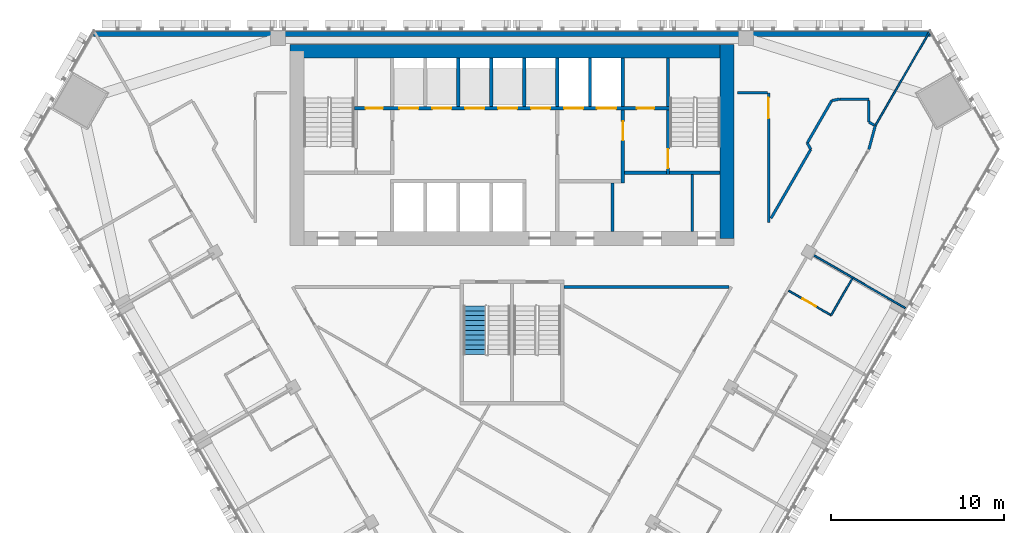
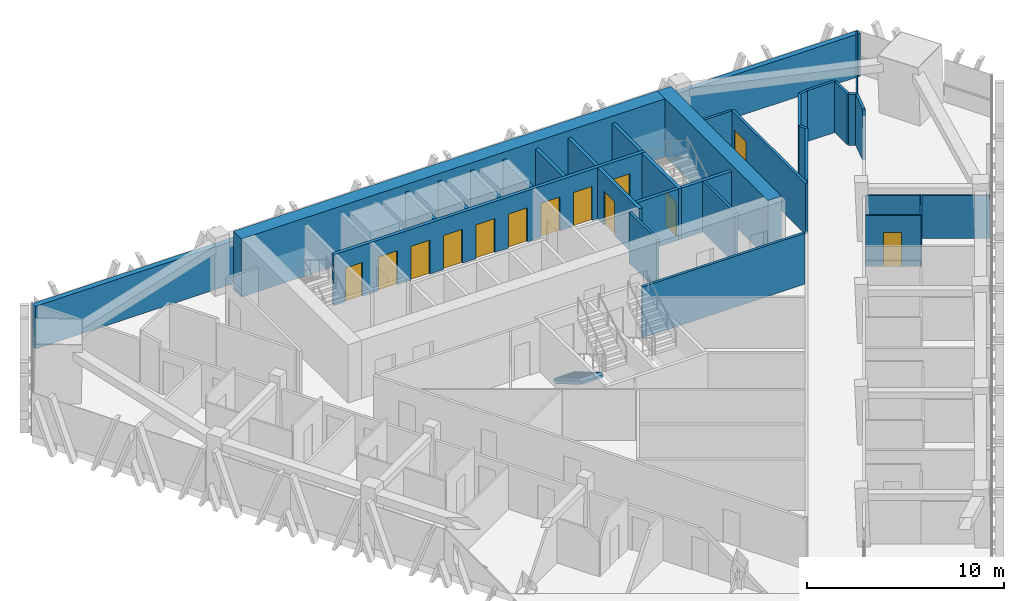
# One storey, part 12 of 16: 32 walls, 13 doors, 1 stair flight, 13 openings, 1 element without a shape of its own.
"""IFC4 building model written with IfcOpenShell, lengths in metres."""

from ifc_helpers import new_model, si_unit, direction, frame, frame_2d, origin, place, context, subcontext, project, spatial, polyline, rectangle, outline, extrude, material, layer, layer_set, type_object, element, fill, aggregate, save


model = new_model("IFC4")

# Units and contexts
model_context = context("Model", 3, precision=1e-05, world=origin(), true_north=direction((0.0, 1.0)))
body_context = subcontext(model_context, "Body", "Model", "MODEL_VIEW")
ifc_project = project(units=[si_unit("LENGTHUNIT", "METRE"), si_unit("AREAUNIT", "SQUARE_METRE"), si_unit("VOLUMEUNIT", "CUBIC_METRE"), si_unit("PLANEANGLEUNIT", "RADIAN"), si_unit("MASSUNIT", "GRAM", prefix="KILO")], contexts=[model_context])

# Site, building, storey
site_placement = place(None, origin())
site = spatial("IfcSite", under=ifc_project, at=site_placement, CompositionType="ELEMENT")
building_placement = place(site_placement, origin())
building = spatial("IfcBuilding", under=site, at=building_placement, Name="Altiplano Prism Tower", CompositionType="ELEMENT")
storey_placement = place(building_placement, frame((0.0, 0.0, 124.199951171875)))
storey = spatial("IfcBuildingStorey", under=building, at=storey_placement, Name="L31", CompositionType="ELEMENT", Elevation=124.199951171875)

# Walls
ifc_material_1 = material(Name="Concrete C60/75", Category="concrete")
ifc_layer_1 = layer(ifc_material_1, 0.800048828125)
ifc_layer_set_1 = layer_set([ifc_layer_1], Name="Concrete C60/75")
wall_type_1 = type_object("IfcWallType", Name="Core wall 800", PredefinedType="SHEAR", material=ifc_layer_set_1)
wall_1_placement = place(storey_placement, frame((97.39990234375, 93.0, 0.0), z_axis=(0.0, 0.0, 1.0), x_axis=(0.0, 1.0, 0.0)))
element("IfcWall", 1, at=wall_1_placement, inside=storey, type_object=wall_type_1, Name="Core wall E L31", PredefinedType="SHEAR", context=body_context, shape_type="SweptSolid", body=[
    extrude(rectangle(XDim=11.199951171875, YDim=0.800048828125, at=frame_2d((5.60009765625, 0.0))), origin(), (0.0, 0.0, 1.0), 3.60009765625),
])
wall_2_placement = place(storey_placement, frame((97.39990234375, 103.800048828125, 0.0), z_axis=(0.0, 0.0, 1.0), x_axis=(-1.0, 0.0, 0.0)))
element("IfcWall", 2, at=wall_2_placement, inside=storey, type_object=wall_type_1, Name="Core wall N L31", PredefinedType="SHEAR", context=body_context, shape_type="SweptSolid", body=[
    extrude(rectangle(XDim=25.199951171875, YDim=0.800048828125, at=frame_2d((12.60009765625, 0.0))), origin(), (0.0, 0.0, 1.0), 3.60009765625),
])
ifc_material_2 = material(Name="Plasterboard on steel stud", Category="steel")
ifc_layer_2 = layer(ifc_material_2, 0.10009765625)
ifc_layer_set_2 = layer_set([ifc_layer_2], Name="Plasterboard on steel stud")
wall_type_2 = type_object("IfcWallType", Name="Partition 100 unit", PredefinedType="PARTITIONING", material=ifc_layer_set_2)
wall_3_placement = place(storey_placement, frame((104.634033203125, 90.688720703125, 0.0), z_axis=(0.0, 0.0, 1.0), x_axis=(-0.499987006516, -0.866032905446, 0.0)))
element("IfcWall", 3, at=wall_3_placement, inside=storey, type_object=wall_type_2, Name="Partition P02 L31 078", PredefinedType="PARTITIONING", context=body_context, shape_type="SweptSolid", body=[
    extrude(rectangle(XDim=2.44970703125, YDim=0.10009765625, at=frame_2d((1.224853515625, 0.0))), origin(), (0.0, 0.0, 1.0), 2.75),
])

# Wall, opening, door
wall_4_placement = place(storey_placement, frame((103.4091796875, 88.567138671875, 0.0), z_axis=(0.0, 0.0, 1.0), x_axis=(-0.866048868473, 0.499959355765, 0.0)))
wall_4 = element("IfcWall", 4, at=wall_4_placement, inside=storey, type_object=wall_type_2, Name="Partition P02 L31 079", PredefinedType="PARTITIONING", context=body_context, shape_type="SweptSolid", body=[
    extrude(rectangle(XDim=2.824951171875, YDim=0.10009765625, at=frame_2d((1.41259765625, 0.0))), origin(), (0.0, 0.0, 1.0), 3.150146484375),
])
opening_1_placement = place(wall_4_placement, frame((1.0, 0.0, 0.0)))
opening_1 = element("IfcOpeningElement", 5, at=opening_1_placement, cuts=wall_4, Name="Opening D1127", PredefinedType="OPENING", context=body_context, shape_type="SweptSolid", body=[
    extrude(rectangle(XDim=0.89990234375, YDim=2.10009765625, at=frame_2d((0.449951171875, 1.050048828125))), frame((0.0, 0.060546875, 0.0), z_axis=(0.0, -1.0, 0.0), x_axis=(1.0, 0.0, 0.0)), (0.0, 0.0, 1.0), 0.12109375),
])
ifc_material_3 = material(Name="Timber", Category="wood")
door_type_1 = type_object("IfcDoorType", Name="Ensuite door 900 x 2100", OperationType="NOTDEFINED", PredefinedType="NOTDEFINED", material=ifc_material_3)
door_1_placement = place(opening_1_placement, origin())
door_1 = element("IfcDoor", 6, at=door_1_placement, inside=storey, type_object=door_type_1, Name="Door D1127", OperationType="SINGLE_SWING_RIGHT", OverallHeight=2.10009765625, OverallWidth=0.89990234375, PredefinedType="NOTDEFINED", context=body_context, shape_type="SweptSolid", body=[
    extrude(rectangle(XDim=0.89990234375, YDim=2.10009765625, at=frame_2d((0.449951171875, 1.050048828125))), frame((0.0, 0.02490234375, 0.0), z_axis=(0.0, -1.0, 0.0), x_axis=(1.0, 0.0, 0.0)), (0.0, 0.0, 1.0), 0.050048828125),
])
fill(opening_1, door_1)

# Walls
ifc_layer_3 = layer(ifc_material_2, 0.10009765625)
ifc_layer_set_3 = layer_set([ifc_layer_3], Name="Plasterboard on steel stud")
wall_type_3 = type_object("IfcWallType", Name="Partition 100 wet", PredefinedType="PARTITIONING", material=ifc_layer_set_3)
wall_5_placement = place(storey_placement, frame((107.690185546875, 88.982177734375, 0.0), z_axis=(0.0, 0.0, 1.0), x_axis=(-0.866032601554, 0.49998753289, 0.0)))
element("IfcWall", 7, at=wall_5_placement, inside=storey, type_object=wall_type_3, Name="Partition P03 L31 080", PredefinedType="PARTITIONING", context=body_context, shape_type="SweptSolid", body=[
    extrude(rectangle(XDim=6.324951171875, YDim=0.10009765625, at=frame_2d((3.16259765625, 0.0))), origin(), (0.0, 0.0, 1.0), 2.650146484375),
])
wall_6_placement = place(storey_placement, frame((109.073974609375, 104.89990234375, 0.0), z_axis=(0.0, 0.0, 1.0), x_axis=(-0.500004896655, -0.866022576681, 0.0)))
element("IfcWall", 8, at=wall_6_placement, inside=storey, type_object=wall_type_3, Name="Partition P03 L31 081", PredefinedType="PARTITIONING", context=body_context, shape_type="SweptSolid", body=[
    extrude(rectangle(XDim=6.2353515625, YDim=0.10009765625, at=frame_2d((3.11767578125, 0.0))), origin(), (0.0, 0.0, 1.0), 2.650146484375),
])
ifc_layer_4 = layer(ifc_material_2, 0.14990234375)
ifc_layer_set_4 = layer_set([ifc_layer_4], Name="Plasterboard on steel stud")
wall_type_4 = type_object("IfcWallType", Name="Partition 150 corridor", PredefinedType="PARTITIONING", material=ifc_layer_set_4)
wall_7_placement = place(storey_placement, frame((105.587158203125, 98.139404296875, 0.0), z_axis=(0.0, 0.0, 1.0), x_axis=(0.261842333215, 0.965110663363, 0.0)))
element("IfcWall", 9, at=wall_7_placement, inside=storey, type_object=wall_type_4, Name="Partition P06 L31 008", PredefinedType="PARTITIONING", context=body_context, shape_type="SweptSolid", body=[
    extrude(rectangle(XDim=1.40966796875, YDim=0.14990234375, at=frame_2d((0.704833984375, 0.0))), origin(), (0.0, 0.0, 1.0), 3.150146484375),
])
wall_8_placement = place(storey_placement, frame((105.8935546875, 99.5361328125, 0.0), z_axis=(0.0, 0.0, 1.0), x_axis=(-0.865898279276, 0.500220121494, 0.0)))
element("IfcWall", 10, at=wall_8_placement, inside=storey, type_object=wall_type_4, Name="Partition P06 L31 015", PredefinedType="PARTITIONING", context=body_context, shape_type="SweptSolid", body=[
    extrude(rectangle(XDim=0.353759765625, YDim=0.14990234375, at=frame_2d((0.1767578125, 0.0))), origin(), (0.0, 0.0, 1.0), 3.150146484375),
])
wall_9_placement = place(storey_placement, frame((105.587158203125, 99.713134765625, 0.0), z_axis=(0.0, 0.0, 1.0), x_axis=(0.0, 1.0, 0.0)))
element("IfcWall", 11, at=wall_9_placement, inside=storey, type_object=wall_type_4, Name="Partition P06 L31 016", PredefinedType="PARTITIONING", context=body_context, shape_type="SweptSolid", body=[
    extrude(rectangle(XDim=1.25146484375, YDim=0.14990234375, at=frame_2d((0.625732421875, 0.0))), origin(), (0.0, 0.0, 1.0), 3.150146484375),
])
wall_10_placement = place(storey_placement, frame((105.587158203125, 101.03955078125, 0.0), z_axis=(0.0, 0.0, 1.0), x_axis=(-1.0, 0.0, 0.0)))
element("IfcWall", 12, at=wall_10_placement, inside=storey, type_object=wall_type_4, Name="Partition P06 L31 017", PredefinedType="PARTITIONING", context=body_context, shape_type="SweptSolid", body=[
    extrude(rectangle(XDim=1.67431640625, YDim=0.14990234375, at=frame_2d((0.837158203125, 0.0))), origin(), (0.0, 0.0, 1.0), 3.150146484375),
])
wall_11_placement = place(storey_placement, frame((103.912841796875, 101.03955078125, 0.0), z_axis=(0.0, 0.0, 1.0), x_axis=(-0.982163245306, -0.188030209195, 0.0)))
element("IfcWall", 13, at=wall_11_placement, inside=storey, type_object=wall_type_4, Name="Partition P06 L31 018", PredefinedType="PARTITIONING", context=body_context, shape_type="SweptSolid", body=[
    extrude(rectangle(XDim=0.4765625, YDim=0.14990234375, at=frame_2d((0.23828125, 0.0))), origin(), (0.0, 0.0, 1.0), 3.150146484375),
])
wall_12_placement = place(storey_placement, frame((103.44482421875, 100.949951171875, 0.0), z_axis=(0.0, 0.0, 1.0), x_axis=(-0.499954046029, -0.866051933696, 0.0)))
element("IfcWall", 14, at=wall_12_placement, inside=storey, type_object=wall_type_4, Name="Partition P06 L31 019", PredefinedType="PARTITIONING", context=body_context, shape_type="SweptSolid", body=[
    extrude(rectangle(XDim=2.828857421875, YDim=0.14990234375, at=frame_2d((1.41455078125, 0.0))), origin(), (0.0, 0.0, 1.0), 3.150146484375),
])
wall_13_placement = place(storey_placement, frame((102.030517578125, 98.5, 0.0), z_axis=(0.0, 0.0, 1.0), x_axis=(0.49967168172, -0.866214875471, 0.0)))
element("IfcWall", 15, at=wall_13_placement, inside=storey, type_object=wall_type_4, Name="Partition P06 L31 020", PredefinedType="PARTITIONING", context=body_context, shape_type="SweptSolid", body=[
    extrude(rectangle(XDim=0.416259765625, YDim=0.14990234375, at=frame_2d((0.2080078125, 0.0))), origin(), (0.0, 0.0, 1.0), 3.150146484375),
])
wall_14_placement = place(storey_placement, frame((102.238525390625, 98.139404296875, 0.0), z_axis=(0.0, 0.0, 1.0), x_axis=(-0.500005941123, -0.866021973648, 0.0)))
element("IfcWall", 16, at=wall_14_placement, inside=storey, type_object=wall_type_4, Name="Partition P06 L31 021", PredefinedType="PARTITIONING", context=body_context, shape_type="SweptSolid", body=[
    extrude(rectangle(XDim=4.59716796875, YDim=0.14990234375, at=frame_2d((2.298583984375, 0.0))), origin(), (0.0, 0.0, 1.0), 3.150146484375),
])

# Wall, opening, door
wall_15_placement = place(storey_placement, frame((99.800048828125, 93.915771484375, 0.0), z_axis=(0.0, 0.0, 1.0), x_axis=(0.0, 1.0, 0.0)))
wall_15 = element("IfcWall", 17, at=wall_15_placement, inside=storey, type_object=wall_type_4, Name="Partition P06 L31 022", PredefinedType="PARTITIONING", context=body_context, shape_type="SweptSolid", body=[
    extrude(rectangle(XDim=7.484130859375, YDim=0.14990234375, at=frame_2d((3.7421875, 0.0))), origin(), (0.0, 0.0, 1.0), 3.150146484375),
])
opening_2_placement = place(wall_15_placement, frame((6.00390625, 0.0, 0.0)))
opening_2 = element("IfcOpeningElement", 18, at=opening_2_placement, cuts=wall_15, Name="Opening D1130", PredefinedType="OPENING", context=body_context, shape_type="SweptSolid", body=[
    extrude(rectangle(XDim=1.199951171875, YDim=2.10009765625, at=frame_2d((0.60009765625, 1.050048828125))), frame((0.0, 0.08544921875, 0.0), z_axis=(0.0, -1.0, 0.0), x_axis=(1.0, 0.0, 0.0)), (0.0, 0.0, 1.0), 0.1708984375),
])
door_type_2 = type_object("IfcDoorType", Name="Shared room door 1200 x 2100", OperationType="NOTDEFINED", PredefinedType="NOTDEFINED", material=ifc_material_3)
door_2_placement = place(opening_2_placement, origin())
door_2 = element("IfcDoor", 19, at=door_2_placement, inside=storey, type_object=door_type_2, Name="Door D1130", OperationType="SINGLE_SWING_LEFT", OverallHeight=2.10009765625, OverallWidth=1.199951171875, PredefinedType="NOTDEFINED", context=body_context, shape_type="SweptSolid", body=[
    extrude(rectangle(XDim=1.199951171875, YDim=2.10009765625, at=frame_2d((0.60009765625, 1.050048828125))), frame((0.0, 0.02490234375, 0.0), z_axis=(0.0, -1.0, 0.0), x_axis=(1.0, 0.0, 0.0)), (0.0, 0.0, 1.0), 0.050048828125),
])
fill(opening_2, door_2)

# Walls
wall_16_placement = place(storey_placement, frame((99.72509765625, 101.39990234375, 0.0), z_axis=(0.0, 0.0, 1.0), x_axis=(-1.0, 0.0, 0.0)))
element("IfcWall", 20, at=wall_16_placement, inside=storey, type_object=wall_type_4, Name="Partition P06 L31 023", PredefinedType="PARTITIONING", context=body_context, shape_type="SweptSolid", body=[
    extrude(rectangle(XDim=1.72509765625, YDim=0.14990234375, at=frame_2d((0.862548828125, 0.0))), origin(), (0.0, 0.0, 1.0), 3.150146484375),
])
wall_17_placement = place(storey_placement, frame((88.0, 90.199951171875, 0.0), z_axis=(0.0, 0.0, 1.0), x_axis=(1.0, 0.0, 0.0)))
element("IfcWall", 21, at=wall_17_placement, inside=storey, type_object=wall_type_4, Name="Partition P06 L31 024", PredefinedType="PARTITIONING", context=body_context, shape_type="SweptSolid", body=[
    extrude(rectangle(XDim=9.524658203125, YDim=0.14990234375, at=frame_2d((4.76220703125, 0.0))), origin(), (0.0, 0.0, 1.0), 3.150146484375),
])
ifc_material_4 = material(Name="Fire-rated gypsum board partition")
ifc_layer_5 = layer(ifc_material_4, 0.14990234375)
ifc_layer_set_5 = layer_set([ifc_layer_5], Name="Fire-rated gypsum board partition")
wall_type_5 = type_object("IfcWallType", Name="Room partition 150", PredefinedType="PARTITIONING", material=ifc_layer_set_5)
wall_18_placement = place(storey_placement, frame((90.800048828125, 93.39990234375, 0.0), z_axis=(0.0, 0.0, 1.0), x_axis=(0.0, 1.0, 0.0)))
element("IfcWall", 22, at=wall_18_placement, inside=storey, type_object=wall_type_5, Name="Room partition L31", PredefinedType="PARTITIONING", context=body_context, shape_type="SweptSolid", body=[
    extrude(rectangle(XDim=2.800048828125, YDim=0.14990234375, at=frame_2d((1.39990234375, 0.0))), origin(), (0.0, 0.0, 1.0), 3.150146484375),
])
wall_19_placement = place(storey_placement, frame((95.39990234375, 93.39990234375, 0.0), z_axis=(0.0, 0.0, 1.0), x_axis=(0.0, 1.0, 0.0)))
element("IfcWall", 23, at=wall_19_placement, inside=storey, type_object=wall_type_5, Name="Room partition L31", PredefinedType="PARTITIONING", context=body_context, shape_type="SweptSolid", body=[
    extrude(rectangle(XDim=3.300048828125, YDim=0.14990234375, at=frame_2d((1.64990234375, 0.0))), origin(), (0.0, 0.0, 1.0), 3.150146484375),
])
ifc_layer_6 = layer(ifc_material_1, 0.199951171875)
ifc_layer_set_6 = layer_set([ifc_layer_6], Name="Concrete C60/75")
wall_type_6 = type_object("IfcWallType", Name="Shaft wall 200", PredefinedType="SOLIDWALL", material=ifc_layer_set_6)
for number, where, z_axis, x_axis, name in (
    (24, (81.89990234375, 100.60009765625, 0.0), (0.0, 0.0, 1.0), (0.0, 1.0, 0.0), "Shaft wall L31"),
    (25, (83.800048828125, 100.60009765625, 0.0), (0.0, 0.0, 1.0), (0.0, 1.0, 0.0), "Shaft wall L31"),
    (26, (85.699951171875, 100.60009765625, 0.0), (0.0, 0.0, 1.0), (0.0, 1.0, 0.0), "Shaft wall L31"),
    (27, (87.60009765625, 100.60009765625, 0.0), (0.0, 0.0, 1.0), (0.0, 1.0, 0.0), "Shaft wall L31"),
    (28, (89.5, 100.60009765625, 0.0), (0.0, 0.0, 1.0), (0.0, 1.0, 0.0), "Shaft wall L31"),
    (29, (91.39990234375, 100.60009765625, 0.0), (0.0, 0.0, 1.0), (0.0, 1.0, 0.0), "Shaft wall L31"),
):
    element("IfcWall", number, at=place(storey_placement, frame(where, z_axis=z_axis, x_axis=x_axis)), inside=storey, type_object=wall_type_6, Name=name, PredefinedType="SOLIDWALL", context=body_context, shape_type="SweptSolid", body=[
        extrude(rectangle(XDim=2.7998046875, YDim=0.199951171875, at=frame_2d((1.39990234375, 0.0))), origin(), (0.0, 0.0, 1.0), 3.150146484375),
    ])

# Wall, opening, door
ifc_layer_7 = layer(ifc_material_1, 0.199951171875)
ifc_layer_set_7 = layer_set([ifc_layer_7], Name="Concrete C60/75")
wall_type_7 = type_object("IfcWallType", Name="Stair wall 200", PredefinedType="SOLIDWALL", material=ifc_layer_set_7)
wall_20_placement = place(storey_placement, frame((94.0, 96.699951171875, 0.0), z_axis=(0.0, 0.0, 1.0), x_axis=(0.0, 1.0, 0.0)))
wall_20 = element("IfcWall", 30, at=wall_20_placement, inside=storey, type_object=wall_type_7, Name="Stair wall L31", PredefinedType="SOLIDWALL", context=body_context, shape_type="SweptSolid", body=[
    extrude(rectangle(XDim=3.699951171875, YDim=0.199951171875, at=frame_2d((1.85009765625, 0.0))), origin(), (0.0, 0.0, 1.0), 3.150146484375),
])
opening_3_placement = place(wall_20_placement, frame((0.35009765625, 0.0, 0.0)))
opening_3 = element("IfcOpeningElement", 31, at=opening_3_placement, cuts=wall_20, Name="Opening D2999", PredefinedType="OPENING", context=body_context, shape_type="SweptSolid", body=[
    extrude(rectangle(XDim=1.10009765625, YDim=2.10009765625, at=frame_2d((0.550048828125, 1.050048828125))), frame((0.0, 0.1103515625, 0.0), z_axis=(0.0, -1.0, 0.0), x_axis=(1.0, 0.0, 0.0)), (0.0, 0.0, 1.0), 0.220947265625),
])
ifc_material_5 = material(Name="Fire-rated steel door", Category="steel")
door_type_3 = type_object("IfcDoorType", Name="Stair fire door 1100 x 2100", OperationType="NOTDEFINED", PredefinedType="NOTDEFINED", material=ifc_material_5)
door_3_placement = place(opening_3_placement, origin())
door_3 = element("IfcDoor", 32, at=door_3_placement, inside=storey, type_object=door_type_3, Name="Stair fire door D2999", OperationType="SINGLE_SWING_LEFT", OverallHeight=2.10009765625, OverallWidth=1.10009765625, PredefinedType="NOTDEFINED", context=body_context, shape_type="SweptSolid", body=[
    extrude(rectangle(XDim=1.10009765625, YDim=2.10009765625, at=frame_2d((0.550048828125, 1.050048828125))), frame((0.0, 0.02490234375, 0.0), z_axis=(0.0, -1.0, 0.0), x_axis=(1.0, 0.0, 0.0)), (0.0, 0.0, 1.0), 0.050048828125),
])
fill(opening_3, door_3)

# Wall
wall_21_placement = place(storey_placement, frame((94.10009765625, 96.800048828125, 0.0), z_axis=(0.0, 0.0, 1.0), x_axis=(1.0, 0.0, 0.0)))
element("IfcWall", 33, at=wall_21_placement, inside=storey, type_object=wall_type_7, Name="Stair wall L31", PredefinedType="SOLIDWALL", context=body_context, shape_type="SweptSolid", body=[
    extrude(rectangle(XDim=2.89990234375, YDim=0.199951171875, at=frame_2d((1.449951171875, 0.0))), origin(), (0.0, 0.0, 1.0), 3.150146484375),
])

# Wall, openings, doors
wall_22_placement = place(storey_placement, frame((75.89990234375, 100.5, 0.0), z_axis=(0.0, 0.0, 1.0), x_axis=(1.0, 0.0, 0.0)))
wall_22 = element("IfcWall", 34, at=wall_22_placement, inside=storey, type_object=wall_type_7, Name="Stair wall L31", PredefinedType="SOLIDWALL", context=body_context, shape_type="SweptSolid", body=[
    extrude(rectangle(XDim=18.2001953125, YDim=0.199951171875, at=frame_2d((9.10009765625, 0.0))), origin(), (0.0, 0.0, 1.0), 3.150146484375),
])
opening_4_placement = place(wall_22_placement, frame((2.60009765625, 0.0, 0.0)))
opening_4 = element("IfcOpeningElement", 35, at=opening_4_placement, cuts=wall_22, Name="Opening LD-ML1-L31", PredefinedType="OPENING", context=body_context, shape_type="SweptSolid", body=[
    extrude(rectangle(XDim=1.10009765625, YDim=2.10009765625, at=frame_2d((0.550048828125, 1.050048828125))), frame((0.0, 0.1103515625, 0.0), z_axis=(0.0, -1.0, 0.0), x_axis=(1.0, 0.0, 0.0)), (0.0, 0.0, 1.0), 0.220947265625),
])
opening_5_placement = place(wall_22_placement, frame((4.5, 0.0, 0.0)))
opening_5 = element("IfcOpeningElement", 36, at=opening_5_placement, cuts=wall_22, Name="Opening LD-ML2-L31", PredefinedType="OPENING", context=body_context, shape_type="SweptSolid", body=[
    extrude(rectangle(XDim=1.10009765625, YDim=2.10009765625, at=frame_2d((0.550048828125, 1.050048828125))), frame((0.0, 0.1103515625, 0.0), z_axis=(0.0, -1.0, 0.0), x_axis=(1.0, 0.0, 0.0)), (0.0, 0.0, 1.0), 0.220947265625),
])
opening_6_placement = place(wall_22_placement, frame((6.39990234375, 0.0, 0.0)))
opening_6 = element("IfcOpeningElement", 37, at=opening_6_placement, cuts=wall_22, Name="Opening LD-ML3-L31", PredefinedType="OPENING", context=body_context, shape_type="SweptSolid", body=[
    extrude(rectangle(XDim=1.10009765625, YDim=2.10009765625, at=frame_2d((0.550048828125, 1.050048828125))), frame((0.0, 0.1103515625, 0.0), z_axis=(0.0, -1.0, 0.0), x_axis=(1.0, 0.0, 0.0)), (0.0, 0.0, 1.0), 0.220947265625),
])
opening_7_placement = place(wall_22_placement, frame((8.300048828125, 0.0, 0.0)))
opening_7 = element("IfcOpeningElement", 38, at=opening_7_placement, cuts=wall_22, Name="Opening LD-ML4-L31", PredefinedType="OPENING", context=body_context, shape_type="SweptSolid", body=[
    extrude(rectangle(XDim=1.10009765625, YDim=2.10009765625, at=frame_2d((0.550048828125, 1.050048828125))), frame((0.0, 0.1103515625, 0.0), z_axis=(0.0, -1.0, 0.0), x_axis=(1.0, 0.0, 0.0)), (0.0, 0.0, 1.0), 0.220947265625),
])
opening_8_placement = place(wall_22_placement, frame((10.199951171875, 0.0, 0.0)))
opening_8 = element("IfcOpeningElement", 39, at=opening_8_placement, cuts=wall_22, Name="Opening LD-ML5-L31", PredefinedType="OPENING", context=body_context, shape_type="SweptSolid", body=[
    extrude(rectangle(XDim=1.10009765625, YDim=2.10009765625, at=frame_2d((0.550048828125, 1.050048828125))), frame((0.0, 0.1103515625, 0.0), z_axis=(0.0, -1.0, 0.0), x_axis=(1.0, 0.0, 0.0)), (0.0, 0.0, 1.0), 0.220947265625),
])
opening_9_placement = place(wall_22_placement, frame((12.10009765625, 0.0, 0.0)))
opening_9 = element("IfcOpeningElement", 40, at=opening_9_placement, cuts=wall_22, Name="Opening LD-FF1-L31", PredefinedType="OPENING", context=body_context, shape_type="SweptSolid", body=[
    extrude(rectangle(XDim=1.10009765625, YDim=2.10009765625, at=frame_2d((0.550048828125, 1.050048828125))), frame((0.0, 0.1103515625, 0.0), z_axis=(0.0, -1.0, 0.0), x_axis=(1.0, 0.0, 0.0)), (0.0, 0.0, 1.0), 0.220947265625),
])
opening_10_placement = place(wall_22_placement, frame((14.0, 0.0, 0.0)))
opening_10 = element("IfcOpeningElement", 41, at=opening_10_placement, cuts=wall_22, Name="Opening LD-FF2-L31", PredefinedType="OPENING", context=body_context, shape_type="SweptSolid", body=[
    extrude(rectangle(XDim=1.10009765625, YDim=2.10009765625, at=frame_2d((0.550048828125, 1.050048828125))), frame((0.0, 0.1103515625, 0.0), z_axis=(0.0, -1.0, 0.0), x_axis=(1.0, 0.0, 0.0)), (0.0, 0.0, 1.0), 0.220947265625),
])
opening_11_placement = place(wall_22_placement, frame((0.64990234375, 0.0, 0.0)))
opening_11 = element("IfcOpeningElement", 42, at=opening_11_placement, cuts=wall_22, Name="Opening D3006", PredefinedType="OPENING", context=body_context, shape_type="SweptSolid", body=[
    extrude(rectangle(XDim=1.0, YDim=2.10009765625, at=frame_2d((0.5, 1.050048828125))), frame((0.0, 0.1103515625, 0.0), z_axis=(0.0, -1.0, 0.0), x_axis=(1.0, 0.0, 0.0)), (0.0, 0.0, 1.0), 0.220947265625),
])
opening_12_placement = place(wall_22_placement, frame((16.300048828125, 0.0, 0.0)))
opening_12 = element("IfcOpeningElement", 43, at=opening_12_placement, cuts=wall_22, Name="Opening D3007", PredefinedType="OPENING", context=body_context, shape_type="SweptSolid", body=[
    extrude(rectangle(XDim=1.0, YDim=2.10009765625, at=frame_2d((0.5, 1.050048828125))), frame((0.0, 0.1103515625, 0.0), z_axis=(0.0, -1.0, 0.0), x_axis=(1.0, 0.0, 0.0)), (0.0, 0.0, 1.0), 0.220947265625),
])
door_type_4 = type_object("IfcDoorType", Name="Core room door 1000 x 2100", OperationType="NOTDEFINED", PredefinedType="NOTDEFINED", material=ifc_material_5)
door_4_placement = place(opening_11_placement, origin())
door_4 = element("IfcDoor", 44, at=door_4_placement, inside=storey, type_object=door_type_4, Name="Core room door D3006", OperationType="SINGLE_SWING_LEFT", OverallHeight=2.10009765625, OverallWidth=1.0, PredefinedType="NOTDEFINED", context=body_context, shape_type="SweptSolid", body=[
    extrude(rectangle(XDim=1.0, YDim=2.10009765625, at=frame_2d((0.5, 1.050048828125))), frame((0.0, 0.02490234375, 0.0), z_axis=(0.0, -1.0, 0.0), x_axis=(1.0, 0.0, 0.0)), (0.0, 0.0, 1.0), 0.050048828125),
])
fill(opening_11, door_4)
door_5_placement = place(opening_12_placement, origin())
door_5 = element("IfcDoor", 45, at=door_5_placement, inside=storey, type_object=door_type_4, Name="Core room door D3007", OperationType="SINGLE_SWING_RIGHT", OverallHeight=2.10009765625, OverallWidth=1.0, PredefinedType="NOTDEFINED", context=body_context, shape_type="SweptSolid", body=[
    extrude(rectangle(XDim=1.0, YDim=2.10009765625, at=frame_2d((0.5, 1.050048828125))), frame((0.0, 0.02490234375, 0.0), z_axis=(0.0, -1.0, 0.0), x_axis=(1.0, 0.0, 0.0)), (0.0, 0.0, 1.0), 0.050048828125),
])
fill(opening_12, door_5)
ifc_material_6 = material(Name="Stainless steel landing door", Category="steel")
door_type_5 = type_object("IfcDoorType", Name="Landing door 1100 x 2100", OperationType="NOTDEFINED", PredefinedType="NOTDEFINED", material=ifc_material_6)
door_6_placement = place(opening_4_placement, origin())
door_6 = element("IfcDoor", 46, at=door_6_placement, inside=storey, type_object=door_type_5, Name="Landing doors ML1", OperationType="SLIDING_TO_RIGHT", OverallHeight=2.10009765625, OverallWidth=1.10009765625, PredefinedType="NOTDEFINED", context=body_context, shape_type="SweptSolid", body=[
    extrude(rectangle(XDim=1.10009765625, YDim=2.10009765625, at=frame_2d((0.550048828125, 1.050048828125))), frame((0.0, 0.02490234375, 0.0), z_axis=(0.0, -1.0, 0.0), x_axis=(1.0, 0.0, 0.0)), (0.0, 0.0, 1.0), 0.050048828125),
])
fill(opening_4, door_6)
door_7_placement = place(opening_5_placement, origin())
door_7 = element("IfcDoor", 47, at=door_7_placement, inside=storey, type_object=door_type_5, Name="Landing doors ML2", OperationType="SLIDING_TO_LEFT", OverallHeight=2.10009765625, OverallWidth=1.10009765625, PredefinedType="NOTDEFINED", context=body_context, shape_type="SweptSolid", body=[
    extrude(rectangle(XDim=1.10009765625, YDim=2.10009765625, at=frame_2d((0.550048828125, 1.050048828125))), frame((0.0, 0.02490234375, 0.0), z_axis=(0.0, -1.0, 0.0), x_axis=(1.0, 0.0, 0.0)), (0.0, 0.0, 1.0), 0.050048828125),
])
fill(opening_5, door_7)
door_8_placement = place(opening_6_placement, origin())
door_8 = element("IfcDoor", 48, at=door_8_placement, inside=storey, type_object=door_type_5, Name="Landing doors ML3", OperationType="SLIDING_TO_RIGHT", OverallHeight=2.10009765625, OverallWidth=1.10009765625, PredefinedType="NOTDEFINED", context=body_context, shape_type="SweptSolid", body=[
    extrude(rectangle(XDim=1.10009765625, YDim=2.10009765625, at=frame_2d((0.550048828125, 1.050048828125))), frame((0.0, 0.02490234375, 0.0), z_axis=(0.0, -1.0, 0.0), x_axis=(1.0, 0.0, 0.0)), (0.0, 0.0, 1.0), 0.050048828125),
])
fill(opening_6, door_8)
door_9_placement = place(opening_7_placement, origin())
door_9 = element("IfcDoor", 49, at=door_9_placement, inside=storey, type_object=door_type_5, Name="Landing doors ML4", OperationType="SLIDING_TO_LEFT", OverallHeight=2.10009765625, OverallWidth=1.10009765625, PredefinedType="NOTDEFINED", context=body_context, shape_type="SweptSolid", body=[
    extrude(rectangle(XDim=1.10009765625, YDim=2.10009765625, at=frame_2d((0.550048828125, 1.050048828125))), frame((0.0, 0.02490234375, 0.0), z_axis=(0.0, -1.0, 0.0), x_axis=(1.0, 0.0, 0.0)), (0.0, 0.0, 1.0), 0.050048828125),
])
fill(opening_7, door_9)
door_10_placement = place(opening_8_placement, origin())
door_10 = element("IfcDoor", 50, at=door_10_placement, inside=storey, type_object=door_type_5, Name="Landing doors ML5", OperationType="SLIDING_TO_RIGHT", OverallHeight=2.10009765625, OverallWidth=1.10009765625, PredefinedType="NOTDEFINED", context=body_context, shape_type="SweptSolid", body=[
    extrude(rectangle(XDim=1.10009765625, YDim=2.10009765625, at=frame_2d((0.550048828125, 1.050048828125))), frame((0.0, 0.02490234375, 0.0), z_axis=(0.0, -1.0, 0.0), x_axis=(1.0, 0.0, 0.0)), (0.0, 0.0, 1.0), 0.050048828125),
])
fill(opening_8, door_10)
door_11_placement = place(opening_9_placement, origin())
door_11 = element("IfcDoor", 51, at=door_11_placement, inside=storey, type_object=door_type_5, Name="Landing doors FF1", OperationType="SLIDING_TO_RIGHT", OverallHeight=2.10009765625, OverallWidth=1.10009765625, PredefinedType="NOTDEFINED", context=body_context, shape_type="SweptSolid", body=[
    extrude(rectangle(XDim=1.10009765625, YDim=2.10009765625, at=frame_2d((0.550048828125, 1.050048828125))), frame((0.0, 0.02490234375, 0.0), z_axis=(0.0, -1.0, 0.0), x_axis=(1.0, 0.0, 0.0)), (0.0, 0.0, 1.0), 0.050048828125),
])
fill(opening_9, door_11)
door_12_placement = place(opening_10_placement, origin())
door_12 = element("IfcDoor", 52, at=door_12_placement, inside=storey, type_object=door_type_5, Name="Landing doors FF2", OperationType="SLIDING_TO_LEFT", OverallHeight=2.10009765625, OverallWidth=1.10009765625, PredefinedType="NOTDEFINED", context=body_context, shape_type="SweptSolid", body=[
    extrude(rectangle(XDim=1.10009765625, YDim=2.10009765625, at=frame_2d((0.550048828125, 1.050048828125))), frame((0.0, 0.02490234375, 0.0), z_axis=(0.0, -1.0, 0.0), x_axis=(1.0, 0.0, 0.0)), (0.0, 0.0, 1.0), 0.050048828125),
])
fill(opening_10, door_12)

# Walls
wall_23_placement = place(storey_placement, frame((94.0, 100.60009765625, 0.0), z_axis=(0.0, 0.0, 1.0), x_axis=(0.0, 1.0, 0.0)))
element("IfcWall", 53, at=wall_23_placement, inside=storey, type_object=wall_type_7, Name="Stair wall L31", PredefinedType="SOLIDWALL", context=body_context, shape_type="SweptSolid", body=[
    extrude(rectangle(XDim=2.7998046875, YDim=0.199951171875, at=frame_2d((1.39990234375, 0.0))), origin(), (0.0, 0.0, 1.0), 3.150146484375),
])
ifc_material_7 = material(Name="Concrete C40", Category="concrete")
ifc_layer_8 = layer(ifc_material_7, 0.300048828125)
ifc_layer_set_8 = layer_set([ifc_layer_8], Name="Concrete C40")
wall_type_8 = type_object("IfcWallType", Name="Stone-clad external wall 300", PredefinedType="SOLIDWALL", material=ifc_layer_set_8)
wall_24_placement = place(storey_placement, frame((60.8681640625, 104.7900390625, 0.0), z_axis=(0.0, 0.0, 1.0), x_axis=(1.0, 0.0, 0.0)))
element("IfcWall", 54, at=wall_24_placement, inside=storey, type_object=wall_type_8, Name="External wall north face L31", PredefinedType="SOLIDWALL", context=body_context, shape_type="SweptSolid", body=[
    extrude(rectangle(XDim=48.263671875, YDim=0.300048828125, at=frame_2d((24.1318359375, 0.0))), origin(), (0.0, 0.0, 1.0), 2.650146484375),
])

# Wall, opening, door
ifc_layer_9 = layer(ifc_material_1, 0.199951171875)
ifc_layer_set_9 = layer_set([ifc_layer_9], Name="Concrete C60/75")
wall_type_9 = type_object("IfcWallType", Name="Vestibule wall 200", PredefinedType="PARTITIONING", material=ifc_layer_set_9)
wall_25_placement = place(storey_placement, frame((91.39990234375, 96.199951171875, 0.0), z_axis=(0.0, 0.0, 1.0), x_axis=(0.0, 1.0, 0.0)))
wall_25 = element("IfcWall", 55, at=wall_25_placement, inside=storey, type_object=wall_type_9, Name="Vestibule wall L31", PredefinedType="PARTITIONING", context=body_context, shape_type="SweptSolid", body=[
    extrude(rectangle(XDim=4.199951171875, YDim=0.199951171875, at=frame_2d((2.10009765625, 0.0))), origin(), (0.0, 0.0, 1.0), 3.150146484375),
])
opening_13_placement = place(wall_25_placement, frame((2.449951171875, 0.0, 0.0)))
opening_13 = element("IfcOpeningElement", 56, at=opening_13_placement, cuts=wall_25, Name="Opening D3002", PredefinedType="OPENING", context=body_context, shape_type="SweptSolid", body=[
    extrude(rectangle(XDim=1.10009765625, YDim=2.10009765625, at=frame_2d((0.550048828125, 1.050048828125))), frame((0.0, 0.1103515625, 0.0), z_axis=(0.0, -1.0, 0.0), x_axis=(1.0, 0.0, 0.0)), (0.0, 0.0, 1.0), 0.220947265625),
])
door_type_6 = type_object("IfcDoorType", Name="Vestibule fire door 1100 x 2100", OperationType="NOTDEFINED", PredefinedType="NOTDEFINED", material=ifc_material_5)
door_13_placement = place(opening_13_placement, origin())
door_13 = element("IfcDoor", 57, at=door_13_placement, inside=storey, type_object=door_type_6, Name="Vestibule fire door D3002", OperationType="SINGLE_SWING_LEFT", OverallHeight=2.10009765625, OverallWidth=1.10009765625, PredefinedType="NOTDEFINED", context=body_context, shape_type="SweptSolid", body=[
    extrude(rectangle(XDim=1.10009765625, YDim=2.10009765625, at=frame_2d((0.550048828125, 1.050048828125))), frame((0.0, 0.02490234375, 0.0), z_axis=(0.0, -1.0, 0.0), x_axis=(1.0, 0.0, 0.0)), (0.0, 0.0, 1.0), 0.050048828125),
])
fill(opening_13, door_13)

# Wall
wall_26_placement = place(storey_placement, frame((91.5, 96.800048828125, 0.0), z_axis=(0.0, 0.0, 1.0), x_axis=(1.0, 0.0, 0.0)))
element("IfcWall", 58, at=wall_26_placement, inside=storey, type_object=wall_type_9, Name="Vestibule wall L31", PredefinedType="PARTITIONING", context=body_context, shape_type="SweptSolid", body=[
    extrude(rectangle(XDim=2.39990234375, YDim=0.199951171875, at=frame_2d((1.199951171875, 0.0))), origin(), (0.0, 0.0, 1.0), 3.150146484375),
])

# Stair, stair flight
ifc_material_8 = material(Name="Concrete C40/50", Category="concrete")
stair_type = type_object("IfcStairType", Name="Exit stair 1300", PredefinedType="HALF_TURN_STAIR", material=ifc_material_8)
stair_placement = place(storey_placement, origin())
stair = element("IfcStair", 59, at=stair_placement, inside=storey, type_object=stair_type, Name="L31 Exit Stair 3A", PredefinedType="HALF_TURN_STAIR")
stair_flight_type = type_object("IfcStairFlightType", Name="Stair flight concrete 150", PredefinedType="STRAIGHT", material=ifc_material_8)
stair_flight_placement = place(storey_placement, frame((82.85009765625, 89.10009765625, 0.0), z_axis=(0.0, 0.0, 1.0), x_axis=(0.0, -1.0, 0.0)))
stair_flight = element("IfcStairFlight", 60, at=stair_flight_placement, type_object=stair_flight_type, Name="ST3A flight 1", NumberOfRisers=11, NumberOfTreads=10, PredefinedType="STRAIGHT", RiserHeight=0.163636364, TreadLength=0.28, context=body_context, shape_type="SweptSolid", body=[
    extrude(outline(polyline([(0.0, 0.0), (0.0, 0.16357421875), (0.280029296875, 0.16357421875), (0.280029296875, 0.327392578125), (0.56005859375, 0.327392578125), (0.56005859375, 0.490966796875), (0.840087890625, 0.490966796875), (0.840087890625, 0.654541015625), (1.1201171875, 0.654541015625), (1.1201171875, 0.818115234375), (1.39990234375, 0.818115234375), (1.39990234375, 0.98193359375), (1.679931640625, 0.98193359375), (1.679931640625, 1.1455078125), (1.9599609375, 1.1455078125), (1.9599609375, 1.30908203125), (2.239990234375, 1.30908203125), (2.239990234375, 1.47265625), (2.52001953125, 1.47265625), (2.52001953125, 1.636474609375), (2.800048828125, 1.636474609375), (2.800048828125, 1.800048828125), (2.800048828125, 1.462646484375), (0.297119140625, 0.0), (0.0, 0.0)])), frame((0.0, 0.64990234375, 0.0), z_axis=(0.0, -1.0, 0.0), x_axis=(1.0, 0.0, 0.0)), (0.0, 0.0, 1.0), 1.300048828125),
])
aggregate(stair, [stair_flight])

save(model, "model.ifc")
